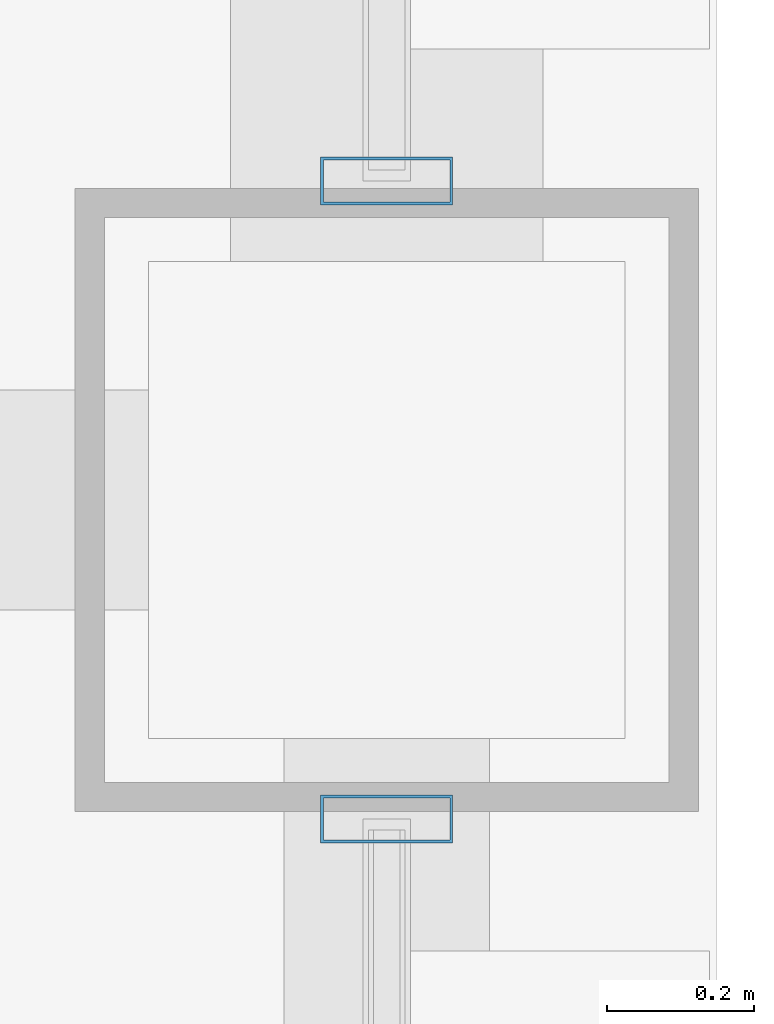
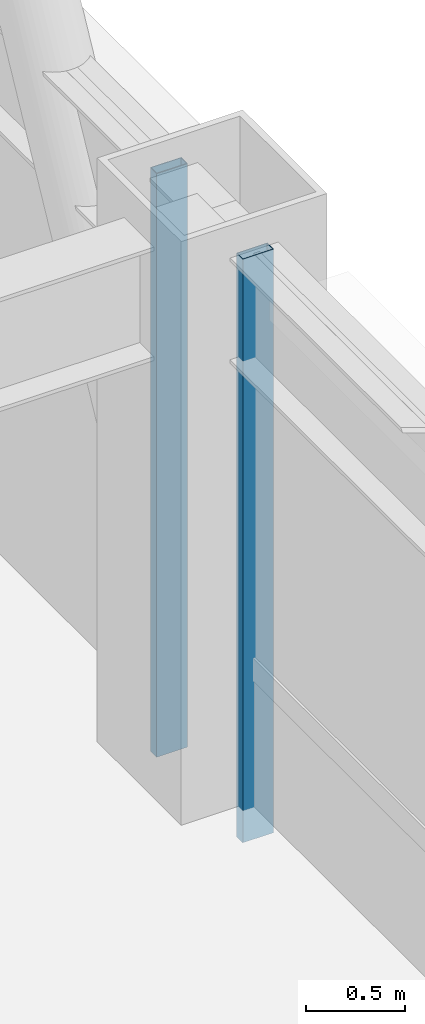
# One storey, part 18 of 34: 2 members, 2 elements without a shape of their own.
"""IFC4 building model written with IfcOpenShell, lengths in metres."""

from ifc_helpers import new_model, si_unit, direction, frame, origin, origin_2d, place, context, subcontext, project, spatial, hollow_rectangle, extrude, material, layer, layer_set, material_profile, profile_set, type_object, element, aggregate, save


model = new_model("IFC4")

# Units and contexts
model_context = context("Model", 3, precision=1e-05, world=origin(), true_north=direction((0.0, 1.0)))
body_context = subcontext(model_context, "Body", "Model", "MODEL_VIEW")
ifc_project = project(units=[si_unit("LENGTHUNIT", "METRE"), si_unit("AREAUNIT", "SQUARE_METRE"), si_unit("VOLUMEUNIT", "CUBIC_METRE"), si_unit("PLANEANGLEUNIT", "RADIAN"), si_unit("MASSUNIT", "GRAM", prefix="KILO")], contexts=[model_context])

# Site, building, storey
site_placement = place(None, origin())
site = spatial("IfcSite", under=ifc_project, at=site_placement, CompositionType="ELEMENT")
building_placement = place(site_placement, origin())
building = spatial("IfcBuilding", under=site, at=building_placement, Name="Brelmoor Portico Tower", CompositionType="ELEMENT")
storey_placement = place(building_placement, frame((0.0, 0.0, 99.0)))
storey = spatial("IfcBuildingStorey", under=building, at=storey_placement, Name="L25", CompositionType="ELEMENT", Elevation=99.0)

# Curtain wall, member
ifc_material = material(Name="Anodised Aluminium Alloy 6063-T6", Category="aluminium")
ifc_layer_1 = layer(ifc_material, 0.179931640625)
ifc_layer_set_1 = layer_set([ifc_layer_1], Name="Anodised Aluminium Alloy 6063-T6")
curtain_wall_type_1 = type_object("IfcCurtainWallType", Name="CW-TOWER-Z2", PredefinedType="NOTDEFINED", material=ifc_layer_set_1)
curtain_wall_1_placement = place(storey_placement, origin())
curtain_wall_1 = element("IfcCurtainWall", 1, at=curtain_wall_1_placement, inside=storey, type_object=curtain_wall_type_1, Name="L25 Curtain Wall CW-L25-4R-1", PredefinedType="NOTDEFINED")
ifc_material_profile = material_profile(ifc_material, hollow_rectangle(XDim=0.06494140625, YDim=0.179931640625, WallThickness=0.00390625, at=origin_2d()), Name="ALU MULLION 65x180")
ifc_profile_set = profile_set([ifc_material_profile], Name="Anodised Aluminium Alloy 6063-T6")
member_type = type_object("IfcMemberType", Name="MB-CW-MULL-180", PredefinedType="MULLION", material=ifc_profile_set)
member_1_placement = place(storey_placement, frame((22.550048828125, 9.31494140625, -0.199951171875), z_axis=(0.0, 0.0, 1.0), x_axis=(0.0, 1.0, 0.0)))
member_1 = element("IfcMember", 2, at=member_1_placement, type_object=member_type, Name="CW-L25-4R-1 Mullion 01", PredefinedType="MULLION", context=body_context, shape_type="SweptSolid", body=[
    extrude(hollow_rectangle(XDim=0.06494140625, YDim=0.179931640625, WallThickness=0.00390625, at=origin_2d()), origin(), (0.0, 0.0, 1.0), 3.599853515625),
])
aggregate(curtain_wall_1, [member_1])

ifc_layer_2 = layer(ifc_material, 0.179931640625)
ifc_layer_set_2 = layer_set([ifc_layer_2], Name="Anodised Aluminium Alloy 6063-T6")
curtain_wall_type_2 = type_object("IfcCurtainWallType", Name="CW-TOWER-Z2-XB", PredefinedType="NOTDEFINED", material=ifc_layer_set_2)
curtain_wall_2_placement = place(storey_placement, origin())
curtain_wall_2 = element("IfcCurtainWall", 3, at=curtain_wall_2_placement, inside=storey, type_object=curtain_wall_type_2, Name="L25 Curtain Wall CW-L25-4R-2", PredefinedType="NOTDEFINED")
member_2_placement = place(storey_placement, frame((22.550048828125, 10.18505859375, -0.199951171875), z_axis=(0.0, 0.0, 1.0), x_axis=(0.0, 1.0, 0.0)))
member_2 = element("IfcMember", 4, at=member_2_placement, type_object=member_type, Name="CW-L25-4R-2 Mullion 00", PredefinedType="MULLION", context=body_context, shape_type="SweptSolid", body=[
    extrude(hollow_rectangle(XDim=0.06494140625, YDim=0.179931640625, WallThickness=0.00390625, at=origin_2d()), origin(), (0.0, 0.0, 1.0), 3.599853515625),
])
aggregate(curtain_wall_2, [member_2])

save(model, "model.ifc")
